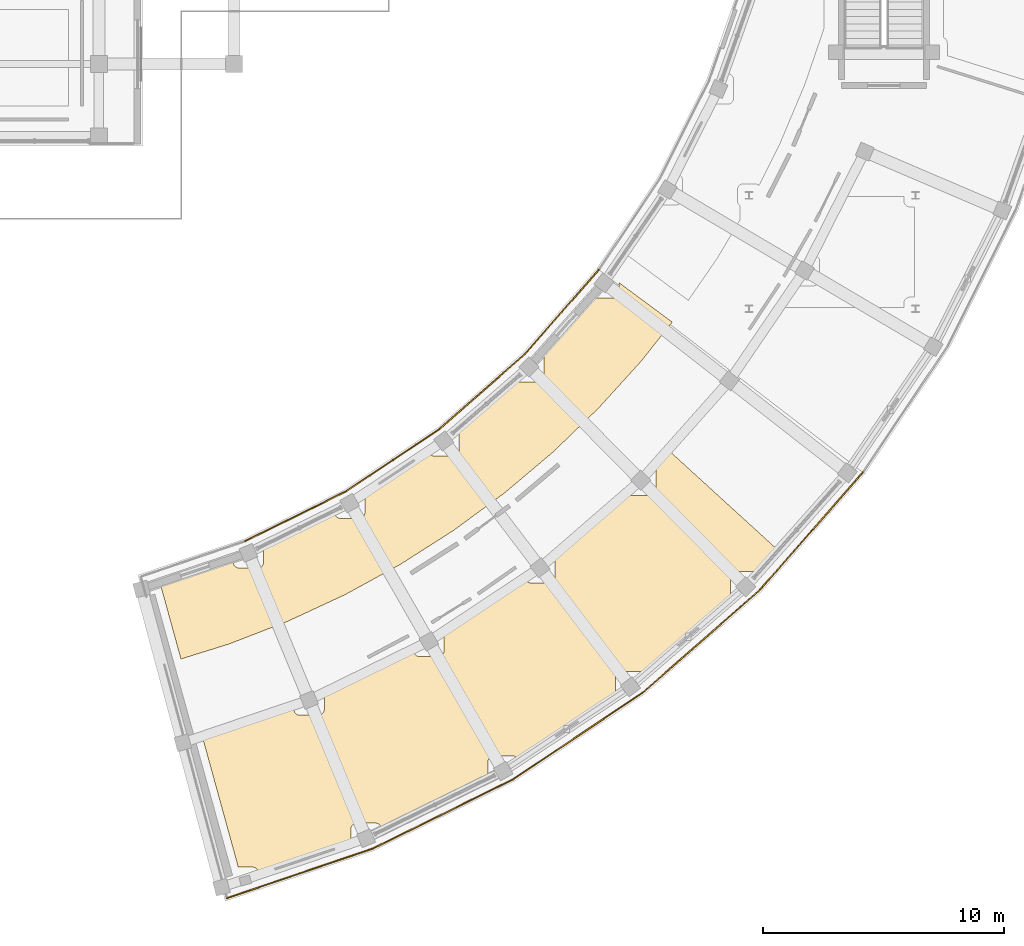
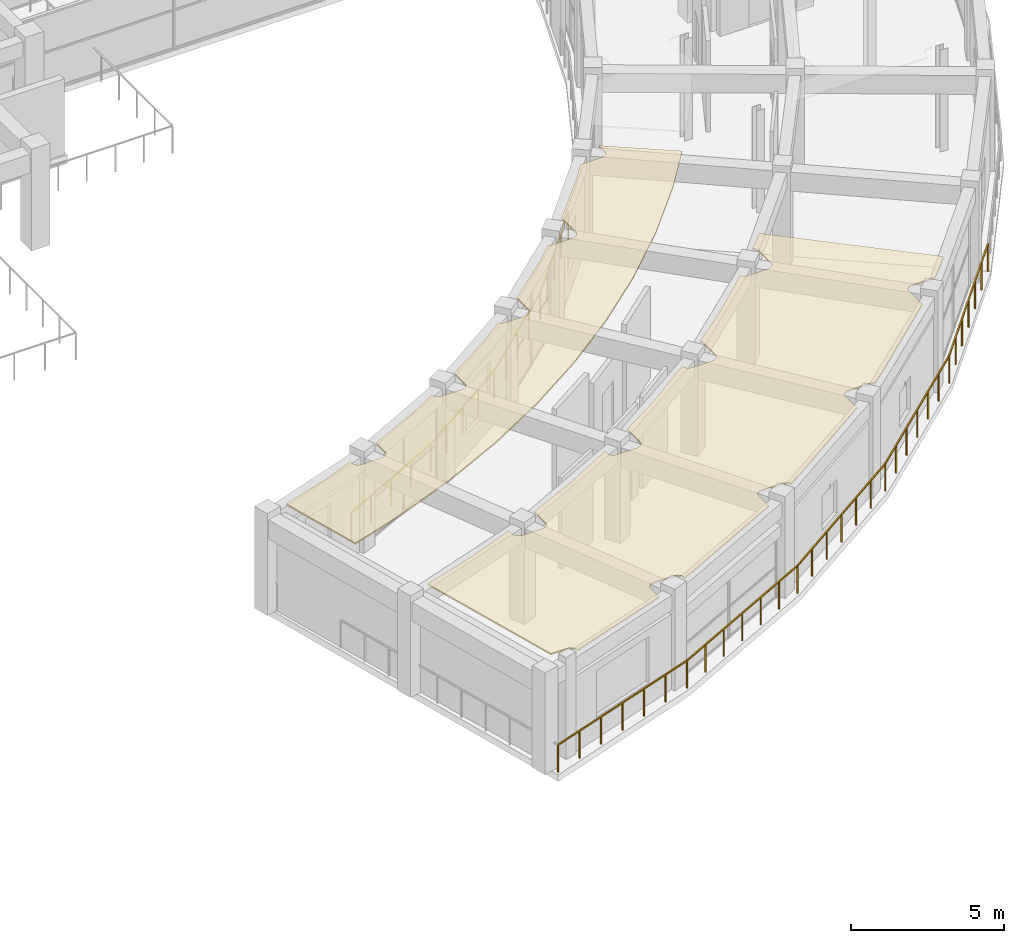
# One storey, part 46 of 53: 9 railings, 2 coverings.
"""IFC4 building model written with IfcOpenShell, lengths in metres."""

from ifc_helpers import new_model, si_unit, direction, frame, origin, origin_2d, place, context, subcontext, project, spatial, polyline, rectangle, outline, extrude, material, layer, layer_set, type_object, element, save


model = new_model("IFC4")

# Units and contexts
model_context = context("Model", 3, precision=1e-05, world=origin(), true_north=direction((0.0, 1.0)))
body_context = subcontext(model_context, "Body", "Model", "MODEL_VIEW")
ifc_project = project(units=[si_unit("LENGTHUNIT", "METRE"), si_unit("AREAUNIT", "SQUARE_METRE"), si_unit("VOLUMEUNIT", "CUBIC_METRE"), si_unit("PLANEANGLEUNIT", "RADIAN"), si_unit("MASSUNIT", "GRAM", prefix="KILO")], contexts=[model_context])

# Site, building, storey
site_placement = place(None, origin())
site = spatial("IfcSite", under=ifc_project, at=site_placement, CompositionType="ELEMENT")
building_placement = place(site_placement, origin())
building = spatial("IfcBuilding", under=site, at=building_placement, Name="Saryqyr Civic Hall", CompositionType="ELEMENT")
storey_placement = place(building_placement, frame((0.0, 0.0, 21.300048828125)))
storey = spatial("IfcBuildingStorey", under=building, at=storey_placement, Name="L05", CompositionType="ELEMENT", Elevation=21.300048828125)

# Coverings
ifc_material_1 = material(Name="Mineral-fibre acoustic ceiling tile", Category="acoustic_tile")
ifc_layer_1 = layer(ifc_material_1, 0.06005859375, Name="Mineral-fibre acoustic ceiling tile")
ifc_layer_set_1 = layer_set([ifc_layer_1], Name="Mineral-fibre acoustic ceiling tile")
covering_type = type_object("IfcCoveringType", Name="INT-COV-CEIL-60", PredefinedType="CEILING", material=ifc_layer_set_1)
covering_1_placement = place(storey_placement, frame((0.0, 0.0, 3.719970703125)))
element("IfcCovering", 1, at=covering_1_placement, inside=storey, type_object=covering_type, Name="Acoustic ceiling Council Political Group Suites East", PredefinedType="CEILING", context=body_context, shape_type="SweptSolid", body=[
    extrude(outline(polyline([(72.683349609375, 44.248779296875), (72.683349609375, 44.05078125), (72.6845703125, 44.0263671875), (72.68798828125, 44.002197265625), (72.694091796875, 43.978271484375), (72.702392578125, 43.955078125), (72.712890625, 43.93310546875), (72.725341796875, 43.912109375), (72.739990234375, 43.892333984375), (72.756591796875, 43.8740234375), (72.774658203125, 43.857666015625), (72.79443359375, 43.843017578125), (72.8154296875, 43.830322265625), (72.837646484375, 43.81982421875), (72.860595703125, 43.811767578125), (72.884521484375, 43.8056640625), (72.90869140625, 43.802001953125), (72.933349609375, 43.80078125), (73.693359375, 43.80078125), (73.7177734375, 43.802001953125), (73.7421875, 43.8056640625), (73.765869140625, 43.811767578125), (73.7890625, 43.81982421875), (73.81103515625, 43.830322265625), (73.832275390625, 43.843017578125), (73.851806640625, 43.857666015625), (73.8701171875, 43.8740234375), (73.88671875, 43.892333984375), (73.901123046875, 43.912109375), (73.913818359375, 43.93310546875), (73.92431640625, 43.955078125), (73.9326171875, 43.978271484375), (73.9384765625, 44.002197265625), (73.942138671875, 44.0263671875), (73.943359375, 44.05078125), (73.943359375, 44.766357421875), (75.82080078125, 45.6162109375), (75.851806640625, 45.63134765625), (77.64697265625, 46.583251953125), (77.64697265625, 46.4833984375), (77.648193359375, 46.458984375), (77.65185546875, 46.4345703125), (77.65771484375, 46.410888671875), (77.666015625, 46.3876953125), (77.676513671875, 46.365478515625), (77.689208984375, 46.344482421875), (77.70361328125, 46.32470703125), (77.72021484375, 46.306640625), (77.73828125, 46.2900390625), (77.758056640625, 46.275390625), (77.779296875, 46.262939453125), (77.80126953125, 46.25244140625), (77.824462890625, 46.244140625), (77.84814453125, 46.23828125), (77.87255859375, 46.234619140625), (77.89697265625, 46.2333984375), (78.656982421875, 46.2333984375), (78.681396484375, 46.234619140625), (78.705810546875, 46.23828125), (78.7294921875, 46.244140625), (78.752685546875, 46.25244140625), (78.77490234375, 46.262939453125), (78.7958984375, 46.275390625), (78.815673828125, 46.2900390625), (78.833740234375, 46.306640625), (78.850341796875, 46.32470703125), (78.864990234375, 46.344482421875), (78.87744140625, 46.365478515625), (78.887939453125, 46.3876953125), (78.896240234375, 46.410888671875), (78.902099609375, 46.4345703125), (78.90576171875, 46.458984375), (78.906982421875, 46.4833984375), (78.906982421875, 47.243408203125), (78.90576171875, 47.267822265625), (78.902099609375, 47.292236328125), (78.89892578125, 47.305419921875), (80.459716796875, 48.26220703125), (80.48828125, 48.28125), (82.25634765625, 49.5234375), (82.257080078125, 49.5107421875), (82.260498046875, 49.486572265625), (82.2666015625, 49.462646484375), (82.27490234375, 49.439697265625), (82.285400390625, 49.41748046875), (82.2978515625, 49.396484375), (82.3125, 49.376708984375), (82.3291015625, 49.3583984375), (82.34716796875, 49.342041015625), (82.366943359375, 49.327392578125), (82.387939453125, 49.314697265625), (82.41015625, 49.30419921875), (82.43310546875, 49.296142578125), (82.45703125, 49.2900390625), (82.481201171875, 49.28662109375), (82.505859375, 49.285400390625), (83.265869140625, 49.285400390625), (83.290283203125, 49.28662109375), (83.314697265625, 49.2900390625), (83.33837890625, 49.296142578125), (83.361572265625, 49.30419921875), (83.383544921875, 49.314697265625), (83.40478515625, 49.327392578125), (83.42431640625, 49.342041015625), (83.442626953125, 49.3583984375), (83.458984375, 49.376708984375), (83.4736328125, 49.396484375), (83.486328125, 49.41748046875), (83.496826171875, 49.439697265625), (83.5048828125, 49.462646484375), (83.510986328125, 49.486572265625), (83.5146484375, 49.5107421875), (83.515869140625, 49.535400390625), (83.515869140625, 50.29541015625), (83.5146484375, 50.31982421875), (83.510986328125, 50.343994140625), (83.5048828125, 50.367919921875), (83.496826171875, 50.39111328125), (83.486328125, 50.4130859375), (83.4736328125, 50.43408203125), (83.46240234375, 50.449462890625), (84.732421875, 51.466064453125), (84.758544921875, 51.48828125), (86.462890625, 53.037109375), (86.474853515625, 53.016845703125), (86.489501953125, 52.997314453125), (86.506103515625, 52.97900390625), (86.524169921875, 52.96240234375), (86.5439453125, 52.947998046875), (86.56494140625, 52.935302734375), (86.587158203125, 52.9248046875), (86.610107421875, 52.91650390625), (86.634033203125, 52.91064453125), (86.658203125, 52.906982421875), (86.682861328125, 52.90576171875), (87.44287109375, 52.90576171875), (87.46728515625, 52.906982421875), (87.49169921875, 52.91064453125), (87.515380859375, 52.91650390625), (87.53857421875, 52.9248046875), (87.560546875, 52.935302734375), (87.581787109375, 52.947998046875), (87.601318359375, 52.96240234375), (87.61962890625, 52.97900390625), (87.635986328125, 52.997314453125), (87.650634765625, 53.016845703125), (87.663330078125, 53.0380859375), (87.673828125, 53.06005859375), (87.681884765625, 53.083251953125), (87.68798828125, 53.10693359375), (87.691650390625, 53.13134765625), (87.69287109375, 53.15576171875), (87.69287109375, 53.915771484375), (87.691650390625, 53.940185546875), (87.68798828125, 53.964599609375), (87.681884765625, 53.98828125), (87.673828125, 54.011474609375), (87.663330078125, 54.03369140625), (87.650634765625, 54.0546875), (87.635986328125, 54.074462890625), (87.61962890625, 54.092529296875), (87.601318359375, 54.109130859375), (87.581787109375, 54.123779296875), (87.560791015625, 54.135986328125), (88.200927734375, 54.795166015625), (92.7451171875, 50.64990234375), (92.373779296875, 50.2265625), (91.89453125, 49.733154296875), (91.893310546875, 49.733642578125), (91.870361328125, 49.741943359375), (91.846435546875, 49.747802734375), (91.822265625, 49.75146484375), (91.797607421875, 49.752685546875), (91.03759765625, 49.752685546875), (91.01318359375, 49.75146484375), (90.989013671875, 49.747802734375), (90.965087890625, 49.741943359375), (90.94189453125, 49.733642578125), (90.919921875, 49.72314453125), (90.898681640625, 49.710693359375), (90.879150390625, 49.696044921875), (90.86083984375, 49.679443359375), (90.844482421875, 49.661376953125), (90.829833984375, 49.6416015625), (90.817138671875, 49.62060546875), (90.806640625, 49.598388671875), (90.798583984375, 49.5751953125), (90.79248046875, 49.551513671875), (90.788818359375, 49.527099609375), (90.78759765625, 49.502685546875), (90.78759765625, 48.74267578125), (90.788818359375, 48.71826171875), (90.79248046875, 48.69384765625), (90.798583984375, 48.670166015625), (90.804443359375, 48.6533203125), (87.68896484375, 45.921142578125), (87.197998046875, 45.5283203125), (87.1923828125, 45.53466796875), (87.17431640625, 45.551025390625), (87.154541015625, 45.565673828125), (87.13330078125, 45.578369140625), (87.111328125, 45.5888671875), (87.088134765625, 45.596923828125), (87.064453125, 45.60302734375), (87.0400390625, 45.606689453125), (87.015625, 45.60791015625), (86.255615234375, 45.60791015625), (86.231201171875, 45.606689453125), (86.206787109375, 45.60302734375), (86.18310546875, 45.596923828125), (86.159912109375, 45.5888671875), (86.1376953125, 45.578369140625), (86.11669921875, 45.565673828125), (86.096923828125, 45.551025390625), (86.078857421875, 45.53466796875), (86.062255859375, 45.516357421875), (86.047607421875, 45.49658203125), (86.03515625, 45.4755859375), (86.024658203125, 45.45361328125), (86.016357421875, 45.430419921875), (86.010498046875, 45.406494140625), (86.0068359375, 45.38232421875), (86.005615234375, 45.35791015625), (86.005615234375, 44.62158203125), (82.458984375, 42.2431640625), (81.974853515625, 41.9462890625), (81.97021484375, 41.95947265625), (81.959716796875, 41.9814453125), (81.947021484375, 42.002685546875), (81.932373046875, 42.022216796875), (81.916015625, 42.04052734375), (81.897705078125, 42.056884765625), (81.8779296875, 42.071533203125), (81.85693359375, 42.084228515625), (81.834716796875, 42.0947265625), (81.811767578125, 42.102783203125), (81.787841796875, 42.10888671875), (81.763671875, 42.112548828125), (81.739013671875, 42.11376953125), (80.97900390625, 42.11376953125), (80.95458984375, 42.112548828125), (80.930419921875, 42.10888671875), (80.906494140625, 42.102783203125), (80.88330078125, 42.0947265625), (80.861328125, 42.084228515625), (80.840087890625, 42.071533203125), (80.820556640625, 42.056884765625), (80.80224609375, 42.04052734375), (80.785888671875, 42.022216796875), (80.771240234375, 42.002685546875), (80.758544921875, 41.9814453125), (80.748046875, 41.95947265625), (80.739990234375, 41.936279296875), (80.73388671875, 41.91259765625), (80.730224609375, 41.88818359375), (80.72900390625, 41.86376953125), (80.72900390625, 41.2265625), (80.537109375, 41.124755859375), (76.746826171875, 39.255615234375), (76.306396484375, 39.056396484375), (76.306396484375, 39.078857421875), (76.30517578125, 39.103515625), (76.301513671875, 39.127685546875), (76.295654296875, 39.151611328125), (76.287353515625, 39.174560546875), (76.27685546875, 39.19677734375), (76.264404296875, 39.2177734375), (76.249755859375, 39.237548828125), (76.233154296875, 39.255615234375), (76.215087890625, 39.272216796875), (76.1953125, 39.286865234375), (76.17431640625, 39.29931640625), (76.152099609375, 39.309814453125), (76.12890625, 39.318115234375), (76.105224609375, 39.32421875), (76.080810546875, 39.32763671875), (76.056396484375, 39.328857421875), (75.29638671875, 39.328857421875), (75.27197265625, 39.32763671875), (75.24755859375, 39.32421875), (75.223876953125, 39.318115234375), (75.20068359375, 39.309814453125), (75.1787109375, 39.29931640625), (75.157470703125, 39.286865234375), (75.1376953125, 39.272216796875), (75.11962890625, 39.255615234375), (75.10302734375, 39.237548828125), (75.08837890625, 39.2177734375), (75.075927734375, 39.19677734375), (75.0654296875, 39.174560546875), (75.05712890625, 39.151611328125), (75.05126953125, 39.127685546875), (75.047607421875, 39.103515625), (75.04638671875, 39.078857421875), (75.04638671875, 38.539306640625), (74.65380859375, 38.390380859375), (71.2255859375, 37.24072265625), (71.2255859375, 37.25048828125), (71.224365234375, 37.275146484375), (71.220703125, 37.29931640625), (71.21484375, 37.3232421875), (71.20654296875, 37.34619140625), (71.196044921875, 37.368408203125), (71.18359375, 37.389404296875), (71.1689453125, 37.4091796875), (71.15234375, 37.427490234375), (71.13427734375, 37.44384765625), (71.114501953125, 37.45849609375), (71.093505859375, 37.47119140625), (71.0712890625, 37.481689453125), (71.048095703125, 37.48974609375), (71.0244140625, 37.495849609375), (71.0, 37.49951171875), (70.9755859375, 37.50048828125), (70.378662109375, 37.50048828125), (68.87841796875, 42.947265625), (70.888427734375, 43.569091796875), (70.9208984375, 43.580322265625), (72.683349609375, 44.248779296875)])), origin(), (0.0, 0.0, 1.0), 0.06005859375),
])
covering_2_placement = place(storey_placement, frame((0.0, 0.0, 3.719970703125)))
element("IfcCovering", 2, at=covering_2_placement, inside=storey, type_object=covering_type, Name="Acoustic ceiling Standing Committee Room 7 (Civic Resilience)", PredefinedType="CEILING", context=body_context, shape_type="SweptSolid", body=[
    extrude(outline(polyline([(70.167724609375, 50.152587890625), (70.1689453125, 50.128173828125), (70.172607421875, 50.103759765625), (70.178466796875, 50.080078125), (70.186767578125, 50.056884765625), (70.197265625, 50.034912109375), (70.209716796875, 50.013671875), (70.224365234375, 49.993896484375), (70.240966796875, 49.975830078125), (70.259033203125, 49.959228515625), (70.27880859375, 49.944580078125), (70.2998046875, 49.93212890625), (70.322021484375, 49.921630859375), (70.34521484375, 49.913330078125), (70.368896484375, 49.907470703125), (70.393310546875, 49.90380859375), (70.417724609375, 49.902587890625), (71.177734375, 49.902587890625), (71.2021484375, 49.90380859375), (71.2265625, 49.907470703125), (71.250244140625, 49.913330078125), (71.2734375, 49.921630859375), (71.29541015625, 49.93212890625), (71.316650390625, 49.944580078125), (71.336181640625, 49.959228515625), (71.3544921875, 49.975830078125), (71.37109375, 49.993896484375), (71.385498046875, 50.013671875), (71.398193359375, 50.034912109375), (71.40869140625, 50.056884765625), (71.4169921875, 50.080078125), (71.4228515625, 50.103759765625), (71.426513671875, 50.128173828125), (71.427734375, 50.152587890625), (71.427734375, 50.7314453125), (73.35205078125, 51.62548828125), (73.384765625, 51.64208984375), (74.367919921875, 52.180908203125), (74.37060546875, 52.1611328125), (74.376708984375, 52.137451171875), (74.385009765625, 52.1142578125), (74.3955078125, 52.09228515625), (74.407958984375, 52.071044921875), (74.422607421875, 52.051513671875), (74.439208984375, 52.033203125), (74.457275390625, 52.0166015625), (74.47705078125, 52.002197265625), (74.498046875, 51.989501953125), (74.520263671875, 51.97900390625), (74.543212890625, 51.970703125), (74.567138671875, 51.96484375), (74.59130859375, 51.961181640625), (74.615966796875, 51.9599609375), (75.3759765625, 51.9599609375), (75.400390625, 51.961181640625), (75.4248046875, 51.96484375), (75.448486328125, 51.970703125), (75.4716796875, 51.97900390625), (75.49365234375, 51.989501953125), (75.514892578125, 52.002197265625), (75.534423828125, 52.0166015625), (75.552734375, 52.033203125), (75.569091796875, 52.051513671875), (75.583740234375, 52.071044921875), (75.596435546875, 52.09228515625), (75.60693359375, 52.1142578125), (75.614990234375, 52.137451171875), (75.62109375, 52.1611328125), (75.624755859375, 52.185546875), (75.6259765625, 52.2099609375), (75.6259765625, 52.883544921875), (77.49951171875, 54.0791015625), (77.52978515625, 54.099853515625), (78.29833984375, 54.665283203125), (78.30615234375, 54.65234375), (78.32080078125, 54.6328125), (78.337158203125, 54.614501953125), (78.35546875, 54.597900390625), (78.375, 54.58349609375), (78.396240234375, 54.57080078125), (78.418212890625, 54.560302734375), (78.44140625, 54.552001953125), (78.465087890625, 54.546142578125), (78.489501953125, 54.54248046875), (78.513916015625, 54.541259765625), (79.27392578125, 54.541259765625), (79.298583984375, 54.54248046875), (79.32275390625, 54.546142578125), (79.3466796875, 54.552001953125), (79.36962890625, 54.560302734375), (79.391845703125, 54.57080078125), (79.412841796875, 54.58349609375), (79.4326171875, 54.597900390625), (79.45068359375, 54.614501953125), (79.46728515625, 54.6328125), (79.48193359375, 54.65234375), (79.494384765625, 54.673583984375), (79.5048828125, 54.695556640625), (79.51318359375, 54.71875), (79.519287109375, 54.742431640625), (79.522705078125, 54.766845703125), (79.52392578125, 54.791259765625), (79.52392578125, 55.55126953125), (79.52294921875, 55.57373046875), (81.28515625, 57.060791015625), (81.312255859375, 57.085205078125), (81.899658203125, 57.65185546875), (81.907958984375, 57.6455078125), (81.92919921875, 57.633056640625), (81.951171875, 57.62255859375), (81.974365234375, 57.6142578125), (81.998046875, 57.6083984375), (82.0224609375, 57.604736328125), (82.046875, 57.603515625), (82.806884765625, 57.603515625), (82.831298828125, 57.604736328125), (82.855712890625, 57.6083984375), (82.87939453125, 57.6142578125), (82.902587890625, 57.62255859375), (82.9248046875, 57.633056640625), (82.94580078125, 57.6455078125), (82.965576171875, 57.66015625), (82.983642578125, 57.6767578125), (83.000244140625, 57.69482421875), (83.014892578125, 57.714599609375), (83.02734375, 57.735595703125), (83.037841796875, 57.7578125), (83.046142578125, 57.781005859375), (83.052001953125, 57.8046875), (83.0556640625, 57.8291015625), (83.056884765625, 57.853515625), (83.056884765625, 58.613525390625), (83.0556640625, 58.637939453125), (83.052001953125, 58.662353515625), (83.046142578125, 58.68603515625), (83.037841796875, 58.709228515625), (83.02734375, 58.731201171875), (83.024169921875, 58.73681640625), (83.046630859375, 58.760009765625), (84.64208984375, 60.51806640625), (84.665771484375, 60.5458984375), (85.105712890625, 61.1005859375), (85.10693359375, 61.100341796875), (85.131103515625, 61.0966796875), (85.15576171875, 61.095458984375), (85.915771484375, 61.095458984375), (85.940185546875, 61.0966796875), (85.964599609375, 61.100341796875), (85.98828125, 61.106201171875), (86.011474609375, 61.114501953125), (86.033447265625, 61.125), (86.0546875, 61.1376953125), (86.07421875, 61.152099609375), (86.092529296875, 61.168701171875), (86.10888671875, 61.18701171875), (86.12353515625, 61.20654296875), (86.13623046875, 61.227783203125), (86.146728515625, 61.249755859375), (86.15478515625, 61.27294921875), (86.160888671875, 61.296630859375), (86.16455078125, 61.321044921875), (86.165771484375, 61.345458984375), (86.165771484375, 61.726318359375), (88.365966796875, 60.09765625), (87.07861328125, 58.474365234375), (85.31640625, 56.53271484375), (83.42919921875, 54.712158203125), (81.42529296875, 53.021240234375), (79.313232421875, 51.467041015625), (77.102783203125, 50.056640625), (74.8037109375, 48.796142578125), (72.425537109375, 47.691162109375), (69.9794921875, 46.74658203125), (68.00146484375, 46.13037109375), (67.1572265625, 49.195556640625), (68.916015625, 49.74365234375), (68.950439453125, 49.755615234375), (70.167724609375, 50.2255859375), (70.167724609375, 50.152587890625)])), origin(), (0.0, 0.0, 1.0), 0.06005859375),
])

# Railings
ifc_material_2 = material(Name="Warm brushed brass and laminated glass", Category="glass")
ifc_layer_2 = layer(ifc_material_2, 0.06005859375, Name="Warm brushed brass and laminated glass")
ifc_layer_set_2 = layer_set([ifc_layer_2], Name="Warm brushed brass and laminated glass")
railing_type = type_object("IfcRailingType", Name="INT-RLG-BAL-1100", PredefinedType="BALUSTRADE", material=ifc_layer_set_2)
railing_1_placement = place(storey_placement, frame((96.270751953125, 53.866455078125, 0.0)))
element("IfcRailing", 3, at=railing_1_placement, inside=storey, type_object=railing_type, Name="Interior deck safety balustrade L05-040", PredefinedType="BALUSTRADE", context=body_context, shape_type="SweptSolid", body=[
    extrude(rectangle(XDim=0.048095703125, YDim=0.048095703125, at=origin_2d()), frame((0.0, 0.0, 1.09619140625), z_axis=(-0.659326405009, -0.751856829228, 0.0), x_axis=(0.751856829228, -0.659326405009, 0.0)), (0.0, 0.0, 1.0), 6.474853515625),
    extrude(rectangle(XDim=0.0419921875, YDim=0.0419921875, at=origin_2d()), origin(), (0.0, 0.0, 1.0), 1.072021484375),
    extrude(rectangle(XDim=0.0419921875, YDim=0.0419921875, at=origin_2d()), frame((-0.71142578125, -0.811279296875, 0.0)), (0.0, 0.0, 1.0), 1.072021484375),
    extrude(rectangle(XDim=0.0419921875, YDim=0.0419921875, at=origin_2d()), frame((-1.423095703125, -1.622802734375, 0.0)), (0.0, 0.0, 1.0), 1.072021484375),
    extrude(rectangle(XDim=0.0419921875, YDim=0.0419921875, at=origin_2d()), frame((-2.134521484375, -2.43408203125, 0.0)), (0.0, 0.0, 1.0), 1.072021484375),
    extrude(rectangle(XDim=0.0419921875, YDim=0.0419921875, at=origin_2d()), frame((-2.845947265625, -3.245361328125, 0.0)), (0.0, 0.0, 1.0), 1.072021484375),
    extrude(rectangle(XDim=0.0419921875, YDim=0.0419921875, at=origin_2d()), frame((-3.5576171875, -4.056884765625, 0.0)), (0.0, 0.0, 1.0), 1.072021484375),
    extrude(rectangle(XDim=0.0419921875, YDim=0.0419921875, at=origin_2d()), frame((-4.26904296875, -4.8681640625, 0.0)), (0.0, 0.0, 1.0), 1.072021484375),
])
railing_2_placement = place(storey_placement, frame((92.001708984375, 48.998291015625, 0.0)))
element("IfcRailing", 4, at=railing_2_placement, inside=storey, type_object=railing_type, Name="Interior deck safety balustrade L05-041", PredefinedType="BALUSTRADE", context=body_context, shape_type="SweptSolid", body=[
    extrude(rectangle(XDim=0.048095703125, YDim=0.048095703125, at=origin_2d()), frame((0.0, 0.0, 1.09619140625), z_axis=(-0.751856829228, -0.659326405009, 0.0), x_axis=(0.659326405009, -0.751856829228, 0.0)), (0.0, 0.0, 1.0), 6.474853515625),
    extrude(rectangle(XDim=0.0419921875, YDim=0.0419921875, at=origin_2d()), origin(), (0.0, 0.0, 1.0), 1.072021484375),
    extrude(rectangle(XDim=0.0419921875, YDim=0.0419921875, at=origin_2d()), frame((-0.811279296875, -0.71142578125, 0.0)), (0.0, 0.0, 1.0), 1.072021484375),
    extrude(rectangle(XDim=0.0419921875, YDim=0.0419921875, at=origin_2d()), frame((-1.622802734375, -1.423095703125, 0.0)), (0.0, 0.0, 1.0), 1.072021484375),
    extrude(rectangle(XDim=0.0419921875, YDim=0.0419921875, at=origin_2d()), frame((-2.43408203125, -2.134521484375, 0.0)), (0.0, 0.0, 1.0), 1.072021484375),
    extrude(rectangle(XDim=0.0419921875, YDim=0.0419921875, at=origin_2d()), frame((-3.245361328125, -2.845947265625, 0.0)), (0.0, 0.0, 1.0), 1.072021484375),
    extrude(rectangle(XDim=0.0419921875, YDim=0.0419921875, at=origin_2d()), frame((-4.056884765625, -3.5576171875, 0.0)), (0.0, 0.0, 1.0), 1.072021484375),
    extrude(rectangle(XDim=0.0419921875, YDim=0.0419921875, at=origin_2d()), frame((-4.8681640625, -4.26904296875, 0.0)), (0.0, 0.0, 1.0), 1.072021484375),
])
railing_3_placement = place(storey_placement, frame((87.133544921875, 44.729248046875, 0.0)))
element("IfcRailing", 5, at=railing_3_placement, inside=storey, type_object=railing_type, Name="Interior deck safety balustrade L05-042", PredefinedType="BALUSTRADE", context=body_context, shape_type="SweptSolid", body=[
    extrude(rectangle(XDim=0.048095703125, YDim=0.048095703125, at=origin_2d()), frame((0.0, 0.0, 1.09619140625), z_axis=(-0.831452318502, -0.55559611415, 0.0), x_axis=(0.55559611415, -0.831452318502, 0.0)), (0.0, 0.0, 1.0), 6.474853515625),
    extrude(rectangle(XDim=0.0419921875, YDim=0.0419921875, at=origin_2d()), origin(), (0.0, 0.0, 1.0), 1.072021484375),
    extrude(rectangle(XDim=0.0419921875, YDim=0.0419921875, at=origin_2d()), frame((-0.897216796875, -0.599609375, 0.0)), (0.0, 0.0, 1.0), 1.072021484375),
    extrude(rectangle(XDim=0.0419921875, YDim=0.0419921875, at=origin_2d()), frame((-1.79443359375, -1.19921875, 0.0)), (0.0, 0.0, 1.0), 1.072021484375),
    extrude(rectangle(XDim=0.0419921875, YDim=0.0419921875, at=origin_2d()), frame((-2.69189453125, -1.798828125, 0.0)), (0.0, 0.0, 1.0), 1.072021484375),
    extrude(rectangle(XDim=0.0419921875, YDim=0.0419921875, at=origin_2d()), frame((-3.589111328125, -2.398193359375, 0.0)), (0.0, 0.0, 1.0), 1.072021484375),
    extrude(rectangle(XDim=0.0419921875, YDim=0.0419921875, at=origin_2d()), frame((-4.486328125, -2.997802734375, 0.0)), (0.0, 0.0, 1.0), 1.072021484375),
    extrude(rectangle(XDim=0.0419921875, YDim=0.0419921875, at=origin_2d()), frame((-5.383544921875, -3.597412109375, 0.0)), (0.0, 0.0, 1.0), 1.072021484375),
])
railing_4_placement = place(storey_placement, frame((81.75, 41.1318359375, 0.0)))
element("IfcRailing", 6, at=railing_4_placement, inside=storey, type_object=railing_type, Name="Interior deck safety balustrade L05-043", PredefinedType="BALUSTRADE", context=body_context, shape_type="SweptSolid", body=[
    extrude(rectangle(XDim=0.048095703125, YDim=0.048095703125, at=origin_2d()), frame((0.0, 0.0, 1.09619140625), z_axis=(-0.89689443152, -0.442244704557, 0.0), x_axis=(0.442244704557, -0.89689443152, 0.0)), (0.0, 0.0, 1.0), 6.47509765625),
    extrude(rectangle(XDim=0.0419921875, YDim=0.0419921875, at=origin_2d()), origin(), (0.0, 0.0, 1.0), 1.072021484375),
    extrude(rectangle(XDim=0.0419921875, YDim=0.0419921875, at=origin_2d()), frame((-0.9677734375, -0.477294921875, 0.0)), (0.0, 0.0, 1.0), 1.072021484375),
    extrude(rectangle(XDim=0.0419921875, YDim=0.0419921875, at=origin_2d()), frame((-1.935791015625, -0.95458984375, 0.0)), (0.0, 0.0, 1.0), 1.072021484375),
    extrude(rectangle(XDim=0.0419921875, YDim=0.0419921875, at=origin_2d()), frame((-2.90380859375, -1.431640625, 0.0)), (0.0, 0.0, 1.0), 1.072021484375),
    extrude(rectangle(XDim=0.0419921875, YDim=0.0419921875, at=origin_2d()), frame((-3.87158203125, -1.908935546875, 0.0)), (0.0, 0.0, 1.0), 1.072021484375),
    extrude(rectangle(XDim=0.0419921875, YDim=0.0419921875, at=origin_2d()), frame((-4.83935546875, -2.38623046875, 0.0)), (0.0, 0.0, 1.0), 1.072021484375),
    extrude(rectangle(XDim=0.0419921875, YDim=0.0419921875, at=origin_2d()), frame((-5.807373046875, -2.863525390625, 0.0)), (0.0, 0.0, 1.0), 1.072021484375),
])
railing_5_placement = place(storey_placement, frame((75.942626953125, 38.268310546875, 0.0)))
element("IfcRailing", 7, at=railing_5_placement, inside=storey, type_object=railing_type, Name="Interior deck safety balustrade L05-044", PredefinedType="BALUSTRADE", context=body_context, shape_type="SweptSolid", body=[
    extrude(rectangle(XDim=0.048095703125, YDim=0.048095703125, at=origin_2d()), frame((0.0, 0.0, 1.09619140625), z_axis=(-0.946914589927, -0.321485239761, 0.0), x_axis=(0.321485239761, -0.946914589927, 0.0)), (0.0, 0.0, 1.0), 6.37451171875),
    extrude(rectangle(XDim=0.0419921875, YDim=0.0419921875, at=origin_2d()), origin(), (0.0, 0.0, 1.0), 1.072021484375),
    extrude(rectangle(XDim=0.0419921875, YDim=0.0419921875, at=origin_2d()), frame((-1.006103515625, -0.341552734375, 0.0)), (0.0, 0.0, 1.0), 1.072021484375),
    extrude(rectangle(XDim=0.0419921875, YDim=0.0419921875, at=origin_2d()), frame((-2.011962890625, -0.68310546875, 0.0)), (0.0, 0.0, 1.0), 1.072021484375),
    extrude(rectangle(XDim=0.0419921875, YDim=0.0419921875, at=origin_2d()), frame((-3.01806640625, -1.024658203125, 0.0)), (0.0, 0.0, 1.0), 1.072021484375),
    extrude(rectangle(XDim=0.0419921875, YDim=0.0419921875, at=origin_2d()), frame((-4.024169921875, -1.3662109375, 0.0)), (0.0, 0.0, 1.0), 1.072021484375),
    extrude(rectangle(XDim=0.0419921875, YDim=0.0419921875, at=origin_2d()), frame((-5.030029296875, -1.707763671875, 0.0)), (0.0, 0.0, 1.0), 1.072021484375),
    extrude(rectangle(XDim=0.0419921875, YDim=0.0419921875, at=origin_2d()), frame((-6.0361328125, -2.04931640625, 0.0)), (0.0, 0.0, 1.0), 1.072021484375),
])
railing_6_placement = place(storey_placement, frame((70.661865234375, 51.017333984375, 0.0)))
element("IfcRailing", 8, at=railing_6_placement, inside=storey, type_object=railing_type, Name="Interior deck safety balustrade L05-048", PredefinedType="BALUSTRADE", context=body_context, shape_type="SweptSolid", body=[
    extrude(rectangle(XDim=0.048095703125, YDim=0.048095703125, at=origin_2d()), frame((0.0, 0.0, 1.09619140625), z_axis=(0.896870870578, 0.44229248412, 0.0), x_axis=(-0.44229248412, 0.896870870578, 0.0)), (0.0, 0.0, 1.0), 4.669921875),
    extrude(rectangle(XDim=0.0419921875, YDim=0.0419921875, at=origin_2d()), origin(), (0.0, 0.0, 1.0), 1.072021484375),
    extrude(rectangle(XDim=0.0419921875, YDim=0.0419921875, at=origin_2d()), frame((1.047119140625, 0.516357421875, 0.0)), (0.0, 0.0, 1.0), 1.072021484375),
    extrude(rectangle(XDim=0.0419921875, YDim=0.0419921875, at=origin_2d()), frame((2.09423828125, 1.03271484375, 0.0)), (0.0, 0.0, 1.0), 1.072021484375),
    extrude(rectangle(XDim=0.0419921875, YDim=0.0419921875, at=origin_2d()), frame((3.14111328125, 1.549072265625, 0.0)), (0.0, 0.0, 1.0), 1.072021484375),
    extrude(rectangle(XDim=0.0419921875, YDim=0.0419921875, at=origin_2d()), frame((4.188232421875, 2.0654296875, 0.0)), (0.0, 0.0, 1.0), 1.072021484375),
])
railing_7_placement = place(storey_placement, frame((74.85009765625, 53.082763671875, 0.0)))
element("IfcRailing", 9, at=railing_7_placement, inside=storey, type_object=railing_type, Name="Interior deck safety balustrade L05-049", PredefinedType="BALUSTRADE", context=body_context, shape_type="SweptSolid", body=[
    extrude(rectangle(XDim=0.048095703125, YDim=0.048095703125, at=origin_2d()), frame((0.0, 0.0, 1.09619140625), z_axis=(0.831486832924, 0.555544459674, 0.0), x_axis=(-0.555544459674, 0.831486832924, 0.0)), (0.0, 0.0, 1.0), 4.669677734375),
    extrude(rectangle(XDim=0.0419921875, YDim=0.0419921875, at=origin_2d()), origin(), (0.0, 0.0, 1.0), 1.072021484375),
    extrude(rectangle(XDim=0.0419921875, YDim=0.0419921875, at=origin_2d()), frame((0.970703125, 0.6484375, 0.0)), (0.0, 0.0, 1.0), 1.072021484375),
    extrude(rectangle(XDim=0.0419921875, YDim=0.0419921875, at=origin_2d()), frame((1.94140625, 1.297119140625, 0.0)), (0.0, 0.0, 1.0), 1.072021484375),
    extrude(rectangle(XDim=0.0419921875, YDim=0.0419921875, at=origin_2d()), frame((2.912109375, 1.94580078125, 0.0)), (0.0, 0.0, 1.0), 1.072021484375),
    extrude(rectangle(XDim=0.0419921875, YDim=0.0419921875, at=origin_2d()), frame((3.8828125, 2.59423828125, 0.0)), (0.0, 0.0, 1.0), 1.072021484375),
])
railing_8_placement = place(storey_placement, frame((78.73291015625, 55.677001953125, 0.0)))
element("IfcRailing", 10, at=railing_8_placement, inside=storey, type_object=railing_type, Name="Interior deck safety balustrade L05-050", PredefinedType="BALUSTRADE", context=body_context, shape_type="SweptSolid", body=[
    extrude(rectangle(XDim=0.048095703125, YDim=0.048095703125, at=origin_2d()), frame((0.0, 0.0, 1.09619140625), z_axis=(0.751834585706, 0.659351769343, 0.0), x_axis=(-0.659351769343, 0.751834585706, 0.0)), (0.0, 0.0, 1.0), 4.669921875),
    extrude(rectangle(XDim=0.0419921875, YDim=0.0419921875, at=origin_2d()), origin(), (0.0, 0.0, 1.0), 1.072021484375),
    extrude(rectangle(XDim=0.0419921875, YDim=0.0419921875, at=origin_2d()), frame((0.877685546875, 0.769775390625, 0.0)), (0.0, 0.0, 1.0), 1.072021484375),
    extrude(rectangle(XDim=0.0419921875, YDim=0.0419921875, at=origin_2d()), frame((1.75537109375, 1.53955078125, 0.0)), (0.0, 0.0, 1.0), 1.072021484375),
    extrude(rectangle(XDim=0.0419921875, YDim=0.0419921875, at=origin_2d()), frame((2.63330078125, 2.309326171875, 0.0)), (0.0, 0.0, 1.0), 1.072021484375),
    extrude(rectangle(XDim=0.0419921875, YDim=0.0419921875, at=origin_2d()), frame((3.510986328125, 3.0791015625, 0.0)), (0.0, 0.0, 1.0), 1.072021484375),
])
railing_9_placement = place(storey_placement, frame((82.243896484375, 58.756103515625, 0.0)))
element("IfcRailing", 11, at=railing_9_placement, inside=storey, type_object=railing_type, Name="Interior deck safety balustrade L05-051", PredefinedType="BALUSTRADE", context=body_context, shape_type="SweptSolid", body=[
    extrude(rectangle(XDim=0.048095703125, YDim=0.048095703125, at=origin_2d()), frame((0.0, 0.0, 1.09619140625), z_axis=(0.659351769343, 0.751834585706, 0.0), x_axis=(-0.751834585706, 0.659351769343, 0.0)), (0.0, 0.0, 1.0), 4.669921875),
    extrude(rectangle(XDim=0.0419921875, YDim=0.0419921875, at=origin_2d()), origin(), (0.0, 0.0, 1.0), 1.072021484375),
    extrude(rectangle(XDim=0.0419921875, YDim=0.0419921875, at=origin_2d()), frame((0.769775390625, 0.877685546875, 0.0)), (0.0, 0.0, 1.0), 1.072021484375),
    extrude(rectangle(XDim=0.0419921875, YDim=0.0419921875, at=origin_2d()), frame((1.53955078125, 1.75537109375, 0.0)), (0.0, 0.0, 1.0), 1.072021484375),
    extrude(rectangle(XDim=0.0419921875, YDim=0.0419921875, at=origin_2d()), frame((2.309326171875, 2.63330078125, 0.0)), (0.0, 0.0, 1.0), 1.072021484375),
    extrude(rectangle(XDim=0.0419921875, YDim=0.0419921875, at=origin_2d()), frame((3.0791015625, 3.510986328125, 0.0)), (0.0, 0.0, 1.0), 1.072021484375),
])

save(model, "model.ifc")
